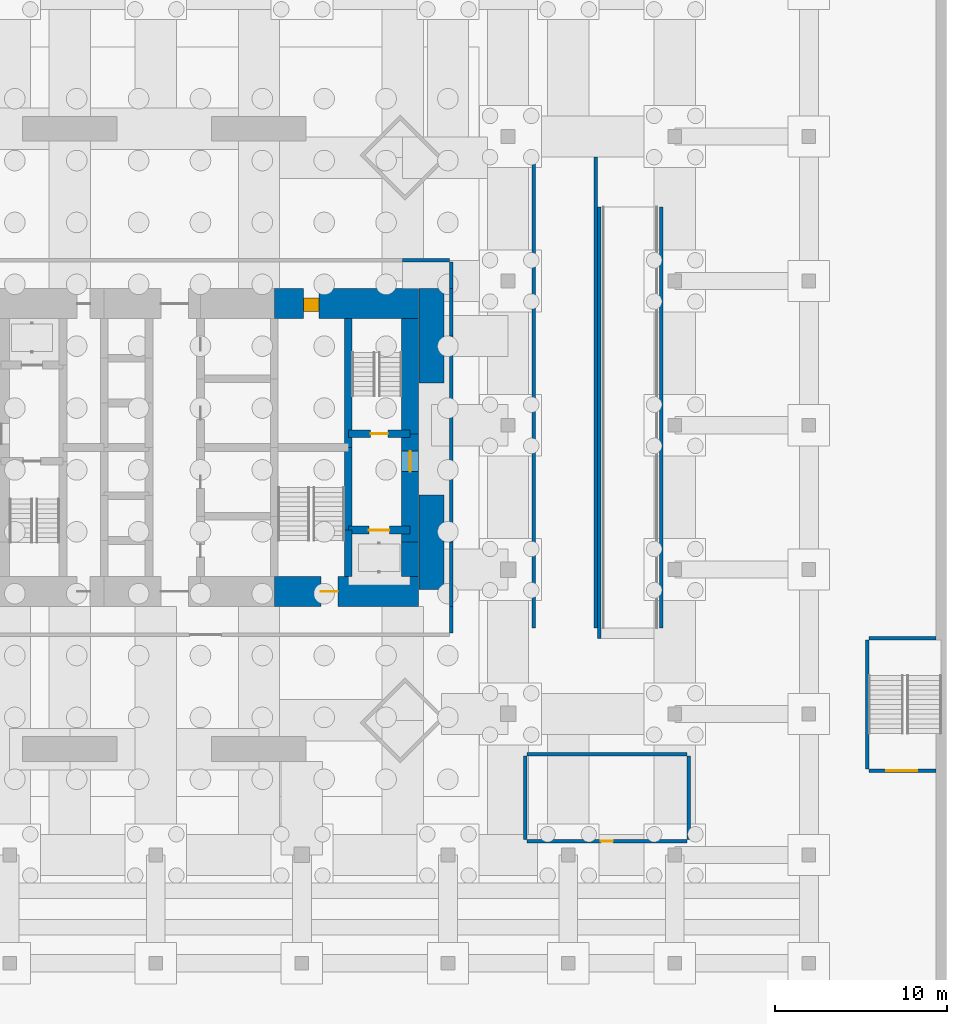
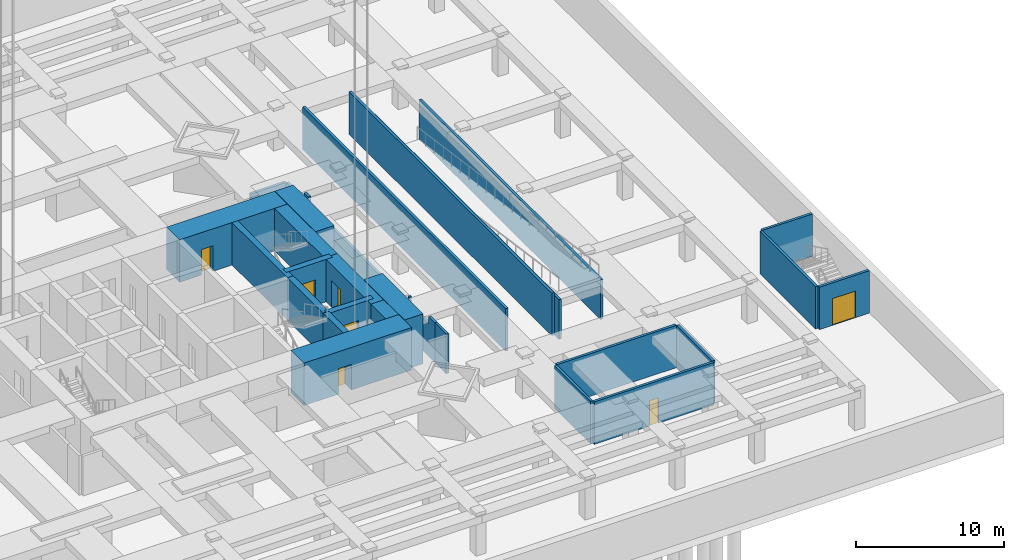
# One storey, part 10 of 15: 29 walls, 7 doors, 7 openings.
"""IFC4 building model written with IfcOpenShell, lengths in metres."""

import ifcopenshell
import ifcopenshell.guid

model = None  # the IFC model being written
_history = None  # IfcOwnerHistory: only IFC2X3 demands one
_inside = {}  # id of a spatial element -> (the spatial element, [elements in it])
_under = {}  # id of a project, library or spatial element -> (it, [spatial elements below it])
_declared = {}  # id of a project -> (the project, [libraries it declares])
_typed = {}  # id of a type object -> (the type object, [elements of that type])
_made_of = {}  # id of a material, layer set ... -> (it, [elements and type objects made of it])


def new_model(schema):
    """Start an empty IFC model of exactly this schema.

    Asked for "IFC4X3", IfcOpenShell would pick the latest addendum, in which some entities
    have other attributes; the version numbers below select the first issue.
    IFC2X3 requires an IfcOwnerHistory on every rooted entity: one is made here for all.
    """
    global model, _history
    if schema == "IFC4X3":
        model = ifcopenshell.file(schema_version=(4, 3, 0, 0))
    else:
        model = ifcopenshell.file(schema=schema)
    _inside.clear()
    _under.clear()
    _declared.clear()
    _typed.clear()
    _made_of.clear()
    _history = None
    if model.schema == "IFC2X3":
        org = make("IfcOrganization", Name="unknown")
        user = make(
            "IfcPersonAndOrganization",
            ThePerson=make("IfcPerson", FamilyName="unknown"),
            TheOrganization=org,
        )
        app = make(
            "IfcApplication",
            ApplicationDeveloper=org,
            Version="unknown",
            ApplicationFullName="unknown",
            ApplicationIdentifier="unknown",
        )
        _history = make(
            "IfcOwnerHistory",
            OwningUser=user,
            OwningApplication=app,
            ChangeAction="ADDED",
            CreationDate=0,
        )
    return model


def make(cls, **values):
    """One entity of the class cls with the attributes given. An attribute that is None is left unset."""
    return model.create_entity(
        cls, **{name: value for name, value in values.items() if value is not None}
    )


def rooted(cls, **values):
    """An entity with a GlobalId (a new one), such as an element, a storey or a relation."""
    return make(cls, GlobalId=ifcopenshell.guid.new(), OwnerHistory=_history, **values)


def si_unit(unit_type, name, prefix=None):
    """IfcSIUnit, for example si_unit("LENGTHUNIT", "METRE", prefix="MILLI")."""
    return make("IfcSIUnit", UnitType=unit_type, Prefix=prefix, Name=name)


def assignment(units):
    """IfcUnitAssignment: the units of a project."""
    return None if units is None else make("IfcUnitAssignment", Units=units)


def point(xyz):
    """IfcCartesianPoint."""
    return None if xyz is None else make("IfcCartesianPoint", Coordinates=xyz)


def direction(xyz):
    """IfcDirection."""
    return None if xyz is None else make("IfcDirection", DirectionRatios=xyz)


def frame(location, z_axis=None, x_axis=None):
    """IfcAxis2Placement3D, a coordinate frame: its origin and axes. An axis left out is left unset."""
    return make(
        "IfcAxis2Placement3D",
        Location=point(location),
        Axis=direction(z_axis),
        RefDirection=direction(x_axis),
    )


def frame_2d(location, x_axis=None):
    """IfcAxis2Placement2D, a coordinate frame in the plane: its origin and x axis."""
    return make(
        "IfcAxis2Placement2D", Location=point(location), RefDirection=direction(x_axis)
    )


def origin():
    """The frame at (0, 0, 0) with its axes left unset."""
    return frame((0.0, 0.0, 0.0))


def place(relative_to, where):
    """IfcLocalPlacement: puts the frame where relative to a parent placement (None: the world)."""
    return make(
        "IfcLocalPlacement", PlacementRelTo=relative_to, RelativePlacement=where
    )


def context(
    kind, dimensions, precision=None, world=None, true_north=None, identifier=None
):
    """IfcGeometricRepresentationContext, for example the 3D "Model" context."""
    return make(
        "IfcGeometricRepresentationContext",
        ContextIdentifier=identifier,
        ContextType=kind,
        CoordinateSpaceDimension=dimensions,
        Precision=precision,
        WorldCoordinateSystem=world,
        TrueNorth=true_north,
    )


def subcontext(parent, identifier, kind, view, scale=None):
    """IfcGeometricRepresentationSubContext, for example "Body" below "Model"."""
    return make(
        "IfcGeometricRepresentationSubContext",
        ContextIdentifier=identifier,
        ContextType=kind,
        ParentContext=parent,
        TargetScale=scale,
        TargetView=view,
    )


def project(units=None, contexts=None):
    """IfcProject with its units and contexts."""
    return rooted(
        "IfcProject",
        Name="project",
        RepresentationContexts=contexts,
        UnitsInContext=assignment(units),
    )


def spatial(cls, under=None, at=None, **own):
    """A site, building, storey or space (cls), placed at a placement, below another one or the project."""
    s = rooted(cls, ObjectPlacement=at, **own)
    if under is not None:
        _under.setdefault(under.id(), (under, []))[1].append(s)
    return s


def polyline(points):
    """IfcPolyline through the points."""
    return make("IfcPolyline", Points=[point(p) for p in points])


def profile(cls, at=None, kind="AREA", **sizes):
    """A parametric profile (cls). Its sizes go by their IFC names, for example OverallWidth=200.0."""
    return make(cls, ProfileType=kind, Position=at, **sizes)


def rectangle(**sizes):
    """IfcRectangleProfileDef."""
    return profile("IfcRectangleProfileDef", **sizes)


def outline(outer, holes=None, kind="AREA"):
    """IfcArbitraryClosedProfileDef: a profile drawn as a closed curve; with holes, ...WithVoids."""
    if holes is None:
        return make("IfcArbitraryClosedProfileDef", ProfileType=kind, OuterCurve=outer)
    return make(
        "IfcArbitraryProfileDefWithVoids",
        ProfileType=kind,
        OuterCurve=outer,
        InnerCurves=holes,
    )


def extrude(swept, where, along, depth):
    """IfcExtrudedAreaSolid: the profile swept, set in the frame where, extruded along a direction by depth."""
    return make(
        "IfcExtrudedAreaSolid",
        SweptArea=swept,
        Position=where,
        ExtrudedDirection=direction(along),
        Depth=depth,
    )


def shape(context_of_items, identifier, shape_type, items):
    """IfcShapeRepresentation: the items that make up one representation, for example the "Body"."""
    return make(
        "IfcShapeRepresentation",
        ContextOfItems=context_of_items,
        RepresentationIdentifier=identifier,
        RepresentationType=shape_type,
        Items=items,
    )


def material(Name=None, Category=None):
    """IfcMaterial."""
    return make("IfcMaterial", Name=Name, Category=Category)


def layer(
    of_material, thickness, ventilated=None, Name=None, Category=None, Priority=None
):
    """IfcMaterialLayer: one layer of a wall or slab, of a material (None: an air gap)."""
    return make(
        "IfcMaterialLayer",
        Material=of_material,
        LayerThickness=thickness,
        IsVentilated=ventilated,
        Name=Name,
        Category=Category,
        Priority=Priority,
    )


def layer_set(layers, Name=None):
    """IfcMaterialLayerSet."""
    return make("IfcMaterialLayerSet", MaterialLayers=layers, LayerSetName=Name)


def constituent(of_material, Name=None, Category=None, fraction=None):
    """IfcMaterialConstituent: one of the materials an element consists of."""
    return make(
        "IfcMaterialConstituent",
        Name=Name,
        Material=of_material,
        Fraction=fraction,
        Category=Category,
    )


def constituent_set(constituents=None, Name=None):
    """IfcMaterialConstituentSet."""
    return make(
        "IfcMaterialConstituentSet", Name=Name, MaterialConstituents=constituents
    )


def made_of(thing, what):
    """Note that an element or type object is made of a material, layer set ...; save() writes the relation."""
    if what is not None:
        _made_of.setdefault(what.id(), (what, []))[1].append(thing)
    return thing


def type_object(cls, material=None, **own):
    """A type object (cls), such as IfcWallType, which elements share."""
    return made_of(rooted(cls, **own), material)


def element(
    cls,
    number,
    at=None,
    inside=None,
    cuts=None,
    type_object=None,
    material=None,
    context=None,
    identifier="Body",
    shape_type=None,
    held_by="IfcProductDefinitionShape",
    body=None,
    shapes=None,
    **own,
):
    """One element of the class cls, such as IfcWall. Its Tag is "e" and its number.

    at: its placement. inside: the storey or other place that contains it. cuts: it is an
    opening in that element (IfcRelVoidsElement). A single representation is given by context,
    identifier, shape_type and body (its items); several are given by shapes. held_by: the class
    of the entity that holds the representations. save() writes the other relations.
    """
    e = rooted(cls, Tag="e%d" % number, ObjectPlacement=at, **own)
    if body is not None:
        shapes = [shape(context, identifier, shape_type, body)]
    if shapes is not None:
        e.Representation = make(held_by, Representations=shapes)
    if inside is not None:
        _inside.setdefault(inside.id(), (inside, []))[1].append(e)
    if cuts is not None:
        rooted(
            "IfcRelVoidsElement", RelatingBuildingElement=cuts, RelatedOpeningElement=e
        )
    if type_object is not None:
        _typed.setdefault(type_object.id(), (type_object, []))[1].append(e)
    return made_of(e, material)


def fill(opening, filler):
    """IfcRelFillsElement: the door or window that sits in an opening."""
    return rooted(
        "IfcRelFillsElement",
        RelatingOpeningElement=opening,
        RelatedBuildingElement=filler,
    )


def aggregate(whole, parts):
    """IfcRelAggregates: a whole, such as a stair, and the parts it consists of."""
    return rooted("IfcRelAggregates", RelatingObject=whole, RelatedObjects=parts)


def save(model, path):
    """Write the relations noted so far, then the file.

    IfcRelAggregates (storeys below a building ...), IfcRelContainedInSpatialStructure (elements
    in a storey), IfcRelDefinesByType, IfcRelAssociatesMaterial and IfcRelDeclares: one each for
    every whole, place, type object, material and project.
    """
    for whole, parts in _under.values():
        aggregate(whole, parts)
    for where, things in _inside.values():
        rooted(
            "IfcRelContainedInSpatialStructure",
            RelatedElements=things,
            RelatingStructure=where,
        )
    for kind, things in _typed.values():
        rooted("IfcRelDefinesByType", RelatedObjects=things, RelatingType=kind)
    for what, things in _made_of.values():
        rooted("IfcRelAssociatesMaterial", RelatedObjects=things, RelatingMaterial=what)
    for by, libraries in _declared.values():
        rooted("IfcRelDeclares", RelatingContext=by, RelatedDefinitions=libraries)
    model.write(path)


model = new_model("IFC4")

# Units and contexts
model_context = context("Model", 3, precision=1e-05, world=origin(), true_north=direction((0.0, 1.0)))
body_context = subcontext(model_context, "Body", "Model", "MODEL_VIEW")
ifc_project = project(units=[si_unit("LENGTHUNIT", "METRE"), si_unit("AREAUNIT", "SQUARE_METRE"), si_unit("VOLUMEUNIT", "CUBIC_METRE"), si_unit("PLANEANGLEUNIT", "RADIAN"), si_unit("MASSUNIT", "GRAM", prefix="KILO")], contexts=[model_context])

# Site, building, storey
site_placement = place(None, origin())
site = spatial("IfcSite", under=ifc_project, at=site_placement, CompositionType="ELEMENT")
building_placement = place(site_placement, origin())
building = spatial("IfcBuilding", under=site, at=building_placement, Name="Jalousie Tower", CompositionType="ELEMENT")
storey_placement = place(building_placement, frame((0.0, 0.0, -7.5)))
storey = spatial("IfcBuildingStorey", under=building, at=storey_placement, Name="B2", CompositionType="ELEMENT", Elevation=-7.5)

# Wall
ifc_material_1 = material(Name="Concrete f'c 120 MPa", Category="concrete")
ifc_layer_1 = layer(ifc_material_1, 1.0)
ifc_layer_set_1 = layer_set([ifc_layer_1], Name="Concrete f'c 120 MPa")
wall_type_1 = type_object("IfcWallType", Name="CORE WALL 1000", PredefinedType="SHEAR", material=ifc_layer_set_1)
wall_1_placement = place(storey_placement, frame((43.800048828125, 11.0, 0.0), z_axis=(0.0, 0.0, 1.0), x_axis=(0.0, 1.0, 0.0)))
element("IfcWall", 1, at=wall_1_placement, inside=storey, type_object=wall_type_1, Name="Core wall EA B2", PredefinedType="SHEAR", context=body_context, shape_type="SweptSolid", body=[
    extrude(rectangle(XDim=2.0, YDim=1.0, at=frame_2d((1.0, 0.0))), origin(), (0.0, 0.0, 1.0), 3.5),
])

# Wall, opening, door
wall_2_placement = place(storey_placement, frame((43.800048828125, 13.0, 0.0), z_axis=(0.0, 0.0, 1.0), x_axis=(0.0, 1.0, 0.0)))
wall_2 = element("IfcWall", 2, at=wall_2_placement, inside=storey, type_object=wall_type_1, Name="Core wall EB B2", PredefinedType="SHEAR", context=body_context, shape_type="SweptSolid", body=[
    extrude(rectangle(XDim=6.300048828125, YDim=1.0, at=frame_2d((3.14990234375, 0.0))), origin(), (0.0, 0.0, 1.0), 3.5),
])
opening_1_placement = place(wall_2_placement, frame((4.10009765625, 0.0, 0.0)))
opening_1 = element("IfcOpeningElement", 3, at=opening_1_placement, cuts=wall_2, Name="Opening D11", PredefinedType="OPENING", context=body_context, shape_type="SweptSolid", body=[
    extrude(rectangle(XDim=1.199951171875, YDim=2.199951171875, at=frame_2d((0.60009765625, 1.10009765625))), frame((0.0, 0.510009765625, 0.0), z_axis=(0.0, -1.0, 0.0), x_axis=(1.0, 0.0, 0.0)), (0.0, 0.0, 1.0), 1.02001953125),
])
ifc_material_2 = material(Name="Steel fire door", Category="steel")
door_type_1 = type_object("IfcDoorType", Name="FIRE DOOR 1200", OperationType="SINGLE_SWING_LEFT", PredefinedType="DOOR", material=ifc_material_2)
door_1_placement = place(opening_1_placement, origin())
door_1 = element("IfcDoor", 4, at=door_1_placement, inside=storey, type_object=door_type_1, Name="Fire-fighting lobby B door", OperationType="SINGLE_SWING_RIGHT", OverallHeight=2.199951171875, OverallWidth=1.199951171875, PredefinedType="DOOR", context=body_context, shape_type="SweptSolid", body=[
    extrude(rectangle(XDim=1.199951171875, YDim=2.199951171875, at=frame_2d((0.60009765625, 1.10009765625))), frame((0.0, 0.02490234375, 0.0), z_axis=(0.0, -1.0, 0.0), x_axis=(1.0, 0.0, 0.0)), (0.0, 0.0, 1.0), 0.050048828125),
])
fill(opening_1, door_1)

# Wall
wall_3_placement = place(storey_placement, frame((43.800048828125, 19.300048828125, 0.0), z_axis=(0.0, 0.0, 1.0), x_axis=(0.0, 1.0, 0.0)))
element("IfcWall", 5, at=wall_3_placement, inside=storey, type_object=wall_type_1, Name="Core wall EC B2", PredefinedType="SHEAR", context=body_context, shape_type="SweptSolid", body=[
    extrude(rectangle(XDim=6.699951171875, YDim=1.0, at=frame_2d((3.35009765625, 0.0))), origin(), (0.0, 0.0, 1.0), 3.5),
])

# Wall, opening, door
ifc_material_3 = material(Name="Concrete f'c 120 MPa", Category="concrete")
ifc_layer_2 = layer(ifc_material_3, 1.75)
ifc_layer_set_2 = layer_set([ifc_layer_2], Name="Concrete f'c 120 MPa")
wall_type_2 = type_object("IfcWallType", Name="CORE WALL 1750", PredefinedType="SHEAR", material=ifc_layer_set_2)
wall_4_placement = place(storey_placement, frame((35.89990234375, 10.125, 0.0), z_axis=(0.0, 0.0, 1.0), x_axis=(1.0, 0.0, 0.0)))
wall_4 = element("IfcWall", 6, at=wall_4_placement, inside=storey, type_object=wall_type_2, Name="Core wall SD B2", PredefinedType="SHEAR", context=body_context, shape_type="SweptSolid", body=[
    extrude(rectangle(XDim=8.400146484375, YDim=1.75, at=frame_2d((4.2001953125, 0.0))), origin(), (0.0, 0.0, 1.0), 3.5),
])
opening_2_placement = place(wall_4_placement, frame((2.699951171875, 0.0, 0.0)))
opening_2 = element("IfcOpeningElement", 7, at=opening_2_placement, cuts=wall_4, Name="Opening D10", PredefinedType="OPENING", context=body_context, shape_type="SweptSolid", body=[
    extrude(rectangle(XDim=1.0, YDim=2.10009765625, at=frame_2d((0.5, 1.050048828125))), frame((0.0, 0.885009765625, 0.0), z_axis=(0.0, -1.0, 0.0), x_axis=(1.0, 0.0, 0.0)), (0.0, 0.0, 1.0), 1.77001953125),
])
ifc_material_4 = material(Name="Steel fire door", Category="steel")
door_type_2 = type_object("IfcDoorType", Name="STAIR DOOR 1000", OperationType="SINGLE_SWING_LEFT", PredefinedType="DOOR", material=ifc_material_4)
door_2_placement = place(opening_2_placement, origin())
door_2 = element("IfcDoor", 8, at=door_2_placement, inside=storey, type_object=door_type_2, Name="Exit stair C door", OperationType="SINGLE_SWING_RIGHT", OverallHeight=2.10009765625, OverallWidth=1.0, PredefinedType="DOOR", context=body_context, shape_type="SweptSolid", body=[
    extrude(rectangle(XDim=1.0, YDim=2.10009765625, at=frame_2d((0.5, 1.050048828125))), frame((0.0, 0.02490234375, 0.0), z_axis=(0.0, -1.0, 0.0), x_axis=(1.0, 0.0, 0.0)), (0.0, 0.0, 1.0), 0.050048828125),
])
fill(opening_2, door_2)

wall_5_placement = place(storey_placement, frame((44.300048828125, 26.875, 0.0), z_axis=(0.0, 0.0, 1.0), x_axis=(-1.0, 0.0, 0.0)))
wall_5 = element("IfcWall", 9, at=wall_5_placement, inside=storey, type_object=wall_type_2, Name="Core wall NA B2", PredefinedType="SHEAR", context=body_context, shape_type="SweptSolid", body=[
    extrude(rectangle(XDim=8.400146484375, YDim=1.75, at=frame_2d((4.2001953125, 0.0))), origin(), (0.0, 0.0, 1.0), 3.5),
])
opening_3_placement = place(wall_5_placement, frame((5.800048828125, 0.0, 0.0)))
opening_3 = element("IfcOpeningElement", 10, at=opening_3_placement, cuts=wall_5, Name="Opening D18", PredefinedType="OPENING", context=body_context, shape_type="SweptSolid", body=[
    extrude(rectangle(XDim=0.89990234375, YDim=2.10009765625, at=frame_2d((0.449951171875, 1.050048828125))), frame((0.0, 0.885009765625, 0.0), z_axis=(0.0, -1.0, 0.0), x_axis=(1.0, 0.0, 0.0)), (0.0, 0.0, 1.0), 1.77001953125),
])
ifc_material_5 = material(Name="Steel fire door", Category="steel")
door_type_3 = type_object("IfcDoorType", Name="CLEANER'S STORE DOOR 900", OperationType="SINGLE_SWING_LEFT", PredefinedType="DOOR", material=ifc_material_5)
door_3_placement = place(opening_3_placement, origin())
door_3 = element("IfcDoor", 11, at=door_3_placement, inside=storey, type_object=door_type_3, Name="Cleaner's store door", OperationType="SINGLE_SWING_RIGHT", OverallHeight=2.10009765625, OverallWidth=0.89990234375, PredefinedType="DOOR", context=body_context, shape_type="SweptSolid", body=[
    extrude(rectangle(XDim=0.89990234375, YDim=2.10009765625, at=frame_2d((0.449951171875, 1.050048828125))), frame((0.0, 0.47021484375, 0.0), z_axis=(0.0, -1.0, 0.0), x_axis=(1.0, 0.0, 0.0)), (0.0, 0.0, 1.0), 0.800048828125),
])
fill(opening_3, door_3)

# Walls
ifc_material_6 = material(Name="Concrete f'c 120 MPa", Category="concrete")
ifc_layer_3 = layer(ifc_material_6, 0.449951171875)
ifc_layer_set_3 = layer_set([ifc_layer_3], Name="Concrete f'c 120 MPa")
wall_type_3 = type_object("IfcWallType", Name="CORE WALL 450", PredefinedType="SHEAR", material=ifc_layer_set_3)
wall_6_placement = place(storey_placement, frame((40.199951171875, 11.0, 0.0), z_axis=(0.0, 0.0, 1.0), x_axis=(0.0, 1.0, 0.0)))
element("IfcWall", 12, at=wall_6_placement, inside=storey, type_object=wall_type_3, Name="Core wall X40.2A B2", PredefinedType="SHEAR", context=body_context, shape_type="SweptSolid", body=[
    extrude(rectangle(XDim=2.699951171875, YDim=0.449951171875, at=frame_2d((1.35009765625, 0.0))), origin(), (0.0, 0.0, 1.0), 3.5),
])
wall_7_placement = place(storey_placement, frame((40.199951171875, 13.699951171875, 0.0), z_axis=(0.0, 0.0, 1.0), x_axis=(0.0, 1.0, 0.0)))
element("IfcWall", 13, at=wall_7_placement, inside=storey, type_object=wall_type_3, Name="Core wall X40.2B B2", PredefinedType="SHEAR", context=body_context, shape_type="SweptSolid", body=[
    extrude(rectangle(XDim=4.800048828125, YDim=0.449951171875, at=frame_2d((2.39990234375, 0.0))), origin(), (0.0, 0.0, 1.0), 3.5),
])
wall_8_placement = place(storey_placement, frame((40.199951171875, 18.5, 0.0), z_axis=(0.0, 0.0, 1.0), x_axis=(0.0, 1.0, 0.0)))
element("IfcWall", 14, at=wall_8_placement, inside=storey, type_object=wall_type_3, Name="Core wall X40.2C B2", PredefinedType="SHEAR", context=body_context, shape_type="SweptSolid", body=[
    extrude(rectangle(XDim=7.5, YDim=0.449951171875, at=frame_2d((3.75, 0.0))), origin(), (0.0, 0.0, 1.0), 3.5),
])

# Wall, opening, door
wall_9_placement = place(storey_placement, frame((40.199951171875, 13.699951171875, 0.0), z_axis=(0.0, 0.0, 1.0), x_axis=(1.0, 0.0, 0.0)))
wall_9 = element("IfcWall", 15, at=wall_9_placement, inside=storey, type_object=wall_type_3, Name="Core wall Y40.2-13.7 B2", PredefinedType="SHEAR", context=body_context, shape_type="SweptSolid", body=[
    extrude(rectangle(XDim=3.60009765625, YDim=0.449951171875, at=frame_2d((1.800048828125, 0.0))), origin(), (0.0, 0.0, 1.0), 3.5),
])
opening_4_placement = place(wall_9_placement, frame((1.199951171875, 0.0, 0.0)))
opening_4 = element("IfcOpeningElement", 16, at=opening_4_placement, cuts=wall_9, Name="Opening LD2", PredefinedType="OPENING", context=body_context, shape_type="SweptSolid", body=[
    extrude(rectangle(XDim=1.199951171875, YDim=2.10009765625, at=frame_2d((0.60009765625, 1.050048828125))), frame((0.0, 0.23486328125, 0.0), z_axis=(0.0, -1.0, 0.0), x_axis=(1.0, 0.0, 0.0)), (0.0, 0.0, 1.0), 0.469970703125),
])
ifc_material_7 = material(Name="Steel lift landing door", Category="steel")
door_type_4 = type_object("IfcDoorType", Name="LIFT LANDING DOOR 1200", OperationType="SLIDING_TO_LEFT", PredefinedType="DOOR", material=ifc_material_7)
door_4_placement = place(opening_4_placement, origin())
door_4 = element("IfcDoor", 17, at=door_4_placement, inside=storey, type_object=door_type_4, Name="Lift F2 landing door", OperationType="SLIDING_TO_LEFT", OverallHeight=2.10009765625, OverallWidth=1.199951171875, PredefinedType="DOOR", context=body_context, shape_type="SweptSolid", body=[
    extrude(rectangle(XDim=1.199951171875, YDim=2.10009765625, at=frame_2d((0.60009765625, 1.050048828125))), frame((0.0, 0.02490234375, 0.0), z_axis=(0.0, -1.0, 0.0), x_axis=(1.0, 0.0, 0.0)), (0.0, 0.0, 1.0), 0.050048828125),
])
fill(opening_4, door_4)

wall_10_placement = place(storey_placement, frame((40.199951171875, 19.300048828125, 0.0), z_axis=(0.0, 0.0, 1.0), x_axis=(1.0, 0.0, 0.0)))
wall_10 = element("IfcWall", 18, at=wall_10_placement, inside=storey, type_object=wall_type_3, Name="Core wall Y40.2-19.3 B2", PredefinedType="SHEAR", context=body_context, shape_type="SweptSolid", body=[
    extrude(rectangle(XDim=3.60009765625, YDim=0.449951171875, at=frame_2d((1.800048828125, 0.0))), origin(), (0.0, 0.0, 1.0), 3.5),
])
opening_5_placement = place(wall_10_placement, frame((1.300048828125, 0.0, 0.0)))
opening_5 = element("IfcOpeningElement", 19, at=opening_5_placement, cuts=wall_10, Name="Opening D10", PredefinedType="OPENING", context=body_context, shape_type="SweptSolid", body=[
    extrude(rectangle(XDim=1.0, YDim=2.10009765625, at=frame_2d((0.5, 1.050048828125))), frame((0.0, 0.23486328125, 0.0), z_axis=(0.0, -1.0, 0.0), x_axis=(1.0, 0.0, 0.0)), (0.0, 0.0, 1.0), 0.469970703125),
])
door_5_placement = place(opening_5_placement, origin())
door_5 = element("IfcDoor", 20, at=door_5_placement, inside=storey, type_object=door_type_2, Name="Exit stair B door", OperationType="SINGLE_SWING_RIGHT", OverallHeight=2.10009765625, OverallWidth=1.0, PredefinedType="DOOR", context=body_context, shape_type="SweptSolid", body=[
    extrude(rectangle(XDim=1.0, YDim=2.10009765625, at=frame_2d((0.5, 1.050048828125))), frame((0.0, 0.02490234375, 0.0), z_axis=(0.0, -1.0, 0.0), x_axis=(1.0, 0.0, 0.0)), (0.0, 0.0, 1.0), 0.050048828125),
])
fill(opening_5, door_5)

# Walls
ifc_material_8 = material(Name="Concrete block ASTM C90", Category="concrete")
ifc_constituent_1 = constituent(ifc_material_8, Name="Body")
ifc_material_9 = material(Name="Render")
ifc_constituent_2 = constituent(ifc_material_9, Name="Finish")
ifc_constituent_set_1 = constituent_set(constituents=[ifc_constituent_1, ifc_constituent_2])
wall_type_4 = type_object("IfcWallType", Name="CORRIDOR WALL 200", PredefinedType="PARTITIONING", material=ifc_constituent_set_1)
wall_11_placement = place(storey_placement, frame((46.199951171875, 7.699951171875, 0.0), z_axis=(0.0, 0.0, 1.0), x_axis=(0.0, 1.0, 0.0)))
element("IfcWall", 21, at=wall_11_placement, inside=storey, type_object=wall_type_4, Name="Corridor Wall 200 B2", PredefinedType="PARTITIONING", context=body_context, shape_type="SweptSolid", body=[
    extrude(rectangle(XDim=1.550048828125, YDim=0.199951171875, at=frame_2d((0.77490234375, 0.0))), origin(), (0.0, 0.0, 1.0), 3.260009765625),
])
wall_12_placement = place(storey_placement, frame((46.199951171875, 27.75, 0.0), z_axis=(0.0, 0.0, 1.0), x_axis=(0.0, 1.0, 0.0)))
element("IfcWall", 22, at=wall_12_placement, inside=storey, type_object=wall_type_4, Name="Corridor Wall 200 B2", PredefinedType="PARTITIONING", context=body_context, shape_type="SweptSolid", body=[
    extrude(outline(polyline([(0.0, 0.0), (1.550048828125, 0.0), (1.550048828125, 3.260009765625), (1.550048828125, 2.659912109375), (0.0, 2.659912109375), (0.0, 3.260009765625), (0.0, 0.0)])), frame((0.0, 0.10009765625, 0.0), z_axis=(0.0, -1.0, 0.0), x_axis=(1.0, 0.0, 0.0)), (0.0, 0.0, 1.0), 0.199951171875),
])
wall_13_placement = place(storey_placement, frame((46.199951171875, 9.25, 0.0), z_axis=(0.0, 0.0, 1.0), x_axis=(0.0, 1.0, 0.0)))
element("IfcWall", 23, at=wall_13_placement, inside=storey, type_object=wall_type_4, Name="Corridor Wall 200 B2-A", PredefinedType="PARTITIONING", context=body_context, shape_type="SweptSolid", body=[
    extrude(outline(polyline([(0.0, 0.0), (3.75, 0.0), (3.75, 2.659912109375), (3.639892578125, 2.659912109375), (3.639892578125, 3.260009765625), (3.4599609375, 3.260009765625), (3.4599609375, 2.659912109375), (0.840087890625, 2.659912109375), (0.840087890625, 3.260009765625), (0.0, 3.260009765625), (0.0, 0.0)])), frame((0.0, 0.10009765625, 0.0), z_axis=(0.0, -1.0, 0.0), x_axis=(1.0, 0.0, 0.0)), (0.0, 0.0, 1.0), 0.199951171875),
])
wall_14_placement = place(storey_placement, frame((46.199951171875, 13.0, 0.0), z_axis=(0.0, 0.0, 1.0), x_axis=(0.0, 1.0, 0.0)))
element("IfcWall", 24, at=wall_14_placement, inside=storey, type_object=wall_type_4, Name="Corridor Wall 200 B2-B", PredefinedType="PARTITIONING", context=body_context, shape_type="SweptSolid", body=[
    extrude(rectangle(XDim=12.0, YDim=0.199951171875, at=frame_2d((6.0, 0.0))), origin(), (0.0, 0.0, 1.0), 2.659912109375),
])
wall_15_placement = place(storey_placement, frame((46.199951171875, 25.0, 0.0), z_axis=(0.0, 0.0, 1.0), x_axis=(0.0, 1.0, 0.0)))
element("IfcWall", 25, at=wall_15_placement, inside=storey, type_object=wall_type_4, Name="Corridor Wall 200 B2-C", PredefinedType="PARTITIONING", context=body_context, shape_type="SweptSolid", body=[
    extrude(outline(polyline([(0.0, 0.0), (2.75, 0.0), (2.75, 2.659912109375), (1.889892578125, 2.659912109375), (1.889892578125, 3.260009765625), (1.31005859375, 3.260009765625), (1.31005859375, 2.659912109375), (0.0, 2.659912109375), (0.0, 0.0)])), frame((0.0, 0.10009765625, 0.0), z_axis=(0.0, -1.0, 0.0), x_axis=(1.0, 0.0, 0.0)), (0.0, 0.0, 1.0), 0.199951171875),
])
wall_16_placement = place(storey_placement, frame((43.36865234375, 29.39990234375, 0.0), z_axis=(0.0, 0.0, 1.0), x_axis=(1.0, 0.0, 0.0)))
element("IfcWall", 26, at=wall_16_placement, inside=storey, type_object=wall_type_4, Name="Corridor Wall 200 B2-B", PredefinedType="PARTITIONING", context=body_context, shape_type="SweptSolid", body=[
    extrude(rectangle(XDim=2.7314453125, YDim=0.199951171875, at=frame_2d((1.36572265625, 0.0))), origin(), (0.0, 0.0, 1.0), 2.659912109375),
])
ifc_material_10 = material(Name="Concrete f'c 40 MPa", Category="concrete")
ifc_layer_4 = layer(ifc_material_10, 0.199951171875)
ifc_layer_set_4 = layer_set([ifc_layer_4], Name="Concrete f'c 40 MPa")
wall_type_5 = type_object("IfcWallType", Name="RAMP WALL 200", PredefinedType="SOLIDWALL", material=ifc_layer_set_4)
for number, where, z_axis, x_axis, name in (
    (27, (51.0, 8.0, 0.0), (0.0, 0.0, 1.0), (0.0, 1.0, 0.0), "Ramp side wall 1 below B1"),
    (28, (54.60009765625, 8.0, 0.0), (0.0, 0.0, 1.0), (0.0, 1.0, 0.0), "Ramp side wall 1 below B1"),
):
    element("IfcWall", number, at=place(storey_placement, frame(where, z_axis=z_axis, x_axis=x_axis)), inside=storey, type_object=wall_type_5, Name=name, PredefinedType="SOLIDWALL", context=body_context, shape_type="SweptSolid", body=[
        extrude(rectangle(XDim=27.39990234375, YDim=0.199951171875, at=frame_2d((13.699951171875, 0.0))), origin(), (0.0, 0.0, 1.0), 3.5),
    ])
wall_17_placement = place(storey_placement, frame((54.800048828125, 7.39990234375, 0.0), z_axis=(0.0, 0.0, 1.0), x_axis=(0.0, 1.0, 0.0)))
element("IfcWall", 29, at=wall_17_placement, inside=storey, type_object=wall_type_5, Name="Ramp side wall 2", PredefinedType="SOLIDWALL", context=body_context, shape_type="SweptSolid", body=[
    extrude(rectangle(XDim=25.10009765625, YDim=0.199951171875, at=frame_2d((12.550048828125, 0.0))), origin(), (0.0, 0.0, 1.0), 3.260009765625),
])
wall_18_placement = place(storey_placement, frame((58.39990234375, 8.0, 0.0), z_axis=(0.0, 0.0, 1.0), x_axis=(0.0, 1.0, 0.0)))
element("IfcWall", 30, at=wall_18_placement, inside=storey, type_object=wall_type_5, Name="Ramp side wall 2", PredefinedType="SOLIDWALL", context=body_context, shape_type="SweptSolid", body=[
    extrude(rectangle(XDim=24.5, YDim=0.199951171875, at=frame_2d((12.25, 0.0))), origin(), (0.0, 0.0, 1.0), 3.260009765625),
])
ifc_material_11 = material(Name="Concrete f'c 120 MPa", Category="concrete")
ifc_layer_5 = layer(ifc_material_11, 1.449951171875)
ifc_layer_set_5 = layer_set([ifc_layer_5], Name="Concrete f'c 120 MPa")
wall_type_6 = type_object("IfcWallType", Name="RC WALL PIER 1450", PredefinedType="SHEAR", material=ifc_layer_set_5)
for number, where, z_axis, x_axis, name in (
    (31, (45.050048828125, 10.25, -0.60009765625), (0.0, 0.0, 1.0), (0.0, 1.0, 0.0), "Wall pier 06 B2"),
    (32, (45.050048828125, 22.25, -0.60009765625), (0.0, 0.0, 1.0), (0.0, 1.0, 0.0), "Wall pier 07 B2"),
):
    element("IfcWall", number, at=place(storey_placement, frame(where, z_axis=z_axis, x_axis=x_axis)), inside=storey, type_object=wall_type_6, Name=name, PredefinedType="SHEAR", context=body_context, shape_type="SweptSolid", body=[
        extrude(rectangle(XDim=5.5, YDim=1.449951171875, at=frame_2d((2.75, 0.0))), origin(), (0.0, 0.0, 1.0), 4.10009765625),
    ])
ifc_material_12 = material(Name="Concrete block ASTM C90", Category="concrete")
ifc_constituent_3 = constituent(ifc_material_12, Name="Body")
ifc_material_13 = material(Name="Render")
ifc_constituent_4 = constituent(ifc_material_13, Name="Finish")
ifc_constituent_set_2 = constituent_set(constituents=[ifc_constituent_3, ifc_constituent_4])
wall_type_7 = type_object("IfcWallType", Name="STAIR WALL 200", PredefinedType="SOLIDWALL", material=ifc_constituent_set_2)
wall_19_placement = place(storey_placement, frame((50.5, -4.300048828125, 0.0), z_axis=(0.0, 0.0, 1.0), x_axis=(0.0, 1.0, 0.0)))
element("IfcWall", 33, at=wall_19_placement, inside=storey, type_object=wall_type_7, Name="Stair Wall 200 B2", PredefinedType="SOLIDWALL", context=body_context, shape_type="SweptSolid", body=[
    extrude(rectangle(XDim=4.85009765625, YDim=0.199951171875, at=frame_2d((2.425048828125, 0.0))), origin(), (0.0, 0.0, 1.0), 3.5),
])
wall_20_placement = place(storey_placement, frame((70.39990234375, -0.199951171875, 0.0), z_axis=(0.0, 0.0, 1.0), x_axis=(0.0, 1.0, 0.0)))
element("IfcWall", 34, at=wall_20_placement, inside=storey, type_object=wall_type_7, Name="Stair Wall 200 B2", PredefinedType="SOLIDWALL", context=body_context, shape_type="SweptSolid", body=[
    extrude(rectangle(XDim=7.5, YDim=0.199951171875, at=frame_2d((3.75, 0.0))), origin(), (0.0, 0.0, 1.0), 3.5),
])
wall_21_placement = place(storey_placement, frame((60.0, -4.300048828125, 0.0), z_axis=(0.0, 0.0, 1.0), x_axis=(0.0, 1.0, 0.0)))
element("IfcWall", 35, at=wall_21_placement, inside=storey, type_object=wall_type_7, Name="Stair Wall 200 B2", PredefinedType="SOLIDWALL", context=body_context, shape_type="SweptSolid", body=[
    extrude(rectangle(XDim=4.85009765625, YDim=0.199951171875, at=frame_2d((2.425048828125, 0.0))), origin(), (0.0, 0.0, 1.0), 3.5),
])

# Wall, opening, door
wall_22_placement = place(storey_placement, frame((50.60009765625, -4.39990234375, 0.0), z_axis=(0.0, 0.0, 1.0), x_axis=(1.0, 0.0, 0.0)))
wall_22 = element("IfcWall", 36, at=wall_22_placement, inside=storey, type_object=wall_type_7, Name="Stair Wall 200 B2", PredefinedType="SOLIDWALL", context=body_context, shape_type="SweptSolid", body=[
    extrude(rectangle(XDim=9.2998046875, YDim=0.199951171875, at=frame_2d((4.64990234375, 0.0))), origin(), (0.0, 0.0, 1.0), 3.5),
])
opening_6_placement = place(wall_22_placement, frame((4.300048828125, 0.0, 0.0)))
opening_6 = element("IfcOpeningElement", 37, at=opening_6_placement, cuts=wall_22, Name="Opening D23", PredefinedType="OPENING", context=body_context, shape_type="SweptSolid", body=[
    extrude(rectangle(XDim=0.699951171875, YDim=2.10009765625, at=frame_2d((0.35009765625, 1.050048828125))), frame((0.0, 0.10986328125, 0.0), z_axis=(0.0, -1.0, 0.0), x_axis=(1.0, 0.0, 0.0)), (0.0, 0.0, 1.0), 0.219970703125),
])
ifc_material_14 = material(Name="Steel fire door", Category="steel")
door_type_5 = type_object("IfcDoorType", Name="STAIR STORE DOOR 700", OperationType="SINGLE_SWING_LEFT", PredefinedType="DOOR", material=ifc_material_14)
door_6_placement = place(opening_6_placement, origin())
door_6 = element("IfcDoor", 38, at=door_6_placement, inside=storey, type_object=door_type_5, Name="Store door", OperationType="SINGLE_SWING_RIGHT", OverallHeight=2.10009765625, OverallWidth=0.699951171875, PredefinedType="DOOR", context=body_context, shape_type="SweptSolid", body=[
    extrude(rectangle(XDim=0.699951171875, YDim=2.10009765625, at=frame_2d((0.35009765625, 1.050048828125))), frame((0.0, 0.02490234375, 0.0), z_axis=(0.0, -1.0, 0.0), x_axis=(1.0, 0.0, 0.0)), (0.0, 0.0, 1.0), 0.050048828125),
])
fill(opening_6, door_6)

# Wall
wall_23_placement = place(storey_placement, frame((50.60009765625, 0.64990234375, 0.0), z_axis=(0.0, 0.0, 1.0), x_axis=(1.0, 0.0, 0.0)))
element("IfcWall", 39, at=wall_23_placement, inside=storey, type_object=wall_type_7, Name="Stair Wall 200 B2", PredefinedType="SOLIDWALL", context=body_context, shape_type="SweptSolid", body=[
    extrude(rectangle(XDim=9.2998046875, YDim=0.199951171875, at=frame_2d((4.64990234375, 0.0))), origin(), (0.0, 0.0, 1.0), 3.5),
])

# Wall, opening, door
wall_24_placement = place(storey_placement, frame((70.5, -0.300048828125, 0.0), z_axis=(0.0, 0.0, 1.0), x_axis=(1.0, 0.0, 0.0)))
wall_24 = element("IfcWall", 40, at=wall_24_placement, inside=storey, type_object=wall_type_7, Name="Stair Wall 200 B2", PredefinedType="SOLIDWALL", context=body_context, shape_type="SweptSolid", body=[
    extrude(rectangle(XDim=3.89990234375, YDim=0.199951171875, at=frame_2d((1.949951171875, 0.0))), origin(), (0.0, 0.0, 1.0), 3.5),
])
opening_7_placement = place(wall_24_placement, frame((1.0, 0.0, 0.0)))
opening_7 = element("IfcOpeningElement", 41, at=opening_7_placement, cuts=wall_24, Name="Opening D17", PredefinedType="OPENING", context=body_context, shape_type="SweptSolid", body=[
    extrude(rectangle(XDim=1.800048828125, YDim=2.199951171875, at=frame_2d((0.89990234375, 1.10009765625))), frame((0.0, 0.10986328125, 0.0), z_axis=(0.0, -1.0, 0.0), x_axis=(1.0, 0.0, 0.0)), (0.0, 0.0, 1.0), 0.219970703125),
])
ifc_material_15 = material(Name="Steel fire door", Category="steel")
door_type_6 = type_object("IfcDoorType", Name="STAIR DOOR 1800", OperationType="DOUBLE_DOOR_SINGLE_SWING", PredefinedType="DOOR", material=ifc_material_15)
door_7_placement = place(opening_7_placement, origin())
door_7 = element("IfcDoor", 42, at=door_7_placement, inside=storey, type_object=door_type_6, Name="Stair BS2 door", OperationType="DOUBLE_DOOR_SINGLE_SWING", OverallHeight=2.199951171875, OverallWidth=1.800048828125, PredefinedType="DOOR", context=body_context, shape_type="SweptSolid", body=[
    extrude(rectangle(XDim=1.800048828125, YDim=2.199951171875, at=frame_2d((0.89990234375, 1.10009765625))), frame((0.0, 0.02490234375, 0.0), z_axis=(0.0, -1.0, 0.0), x_axis=(1.0, 0.0, 0.0)), (0.0, 0.0, 1.0), 0.050048828125),
])
fill(opening_7, door_7)

# Wall
wall_25_placement = place(storey_placement, frame((70.5, 7.39990234375, 0.0), z_axis=(0.0, 0.0, 1.0), x_axis=(1.0, 0.0, 0.0)))
element("IfcWall", 43, at=wall_25_placement, inside=storey, type_object=wall_type_7, Name="Stair Wall 200 B2", PredefinedType="SOLIDWALL", context=body_context, shape_type="SweptSolid", body=[
    extrude(rectangle(XDim=3.89990234375, YDim=0.199951171875, at=frame_2d((1.949951171875, 0.0))), origin(), (0.0, 0.0, 1.0), 3.5),
])

save(model, "model.ifc")
